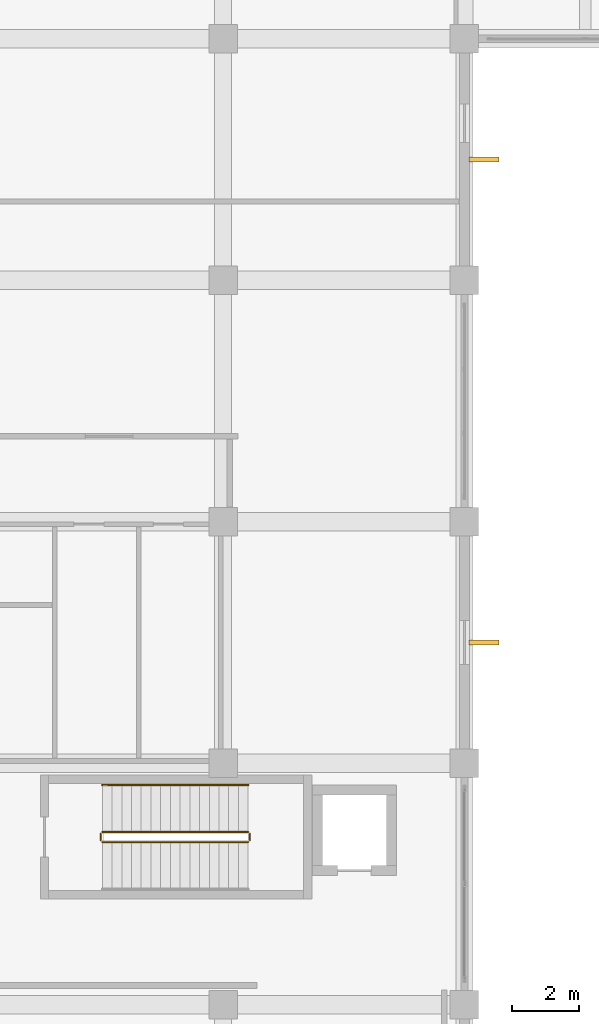
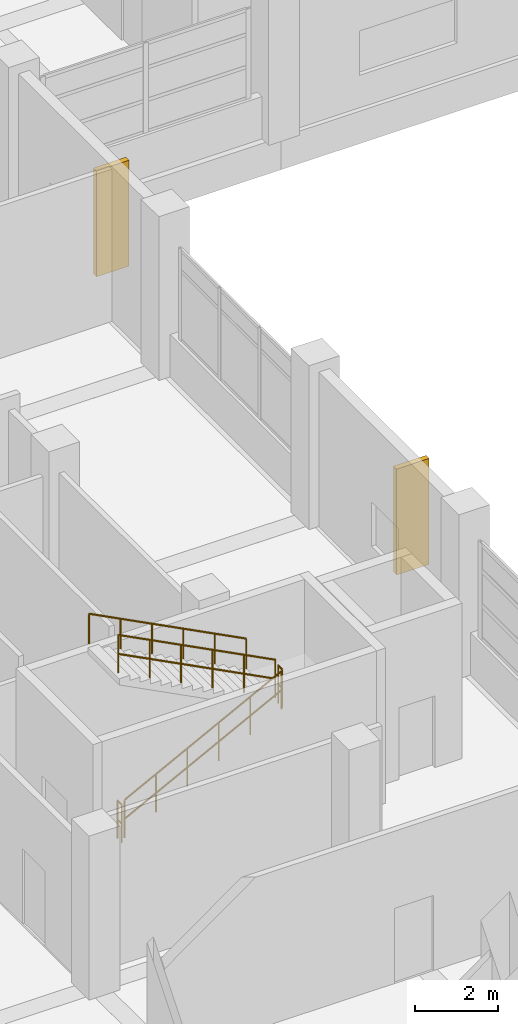
# One storey, part 173 of 181: 5 railings, 2 shading devices.
"""IFC4 building model written with IfcOpenShell, lengths in metres."""

from ifc_helpers import new_model, si_unit, direction, frame, origin, origin_2d, place, context, subcontext, project, spatial, rectangle, circle, extrude, material, type_object, element, save


model = new_model("IFC4")

# Units and contexts
model_context = context("Model", 3, precision=1e-05, world=origin(), true_north=direction((0.0, 1.0)))
body_context = subcontext(model_context, "Body", "Model", "MODEL_VIEW")
ifc_project = project(units=[si_unit("LENGTHUNIT", "METRE"), si_unit("AREAUNIT", "SQUARE_METRE"), si_unit("VOLUMEUNIT", "CUBIC_METRE"), si_unit("PLANEANGLEUNIT", "RADIAN"), si_unit("MASSUNIT", "GRAM", prefix="KILO")], contexts=[model_context])

# Site, building, storey
site_placement = place(None, origin())
site = spatial("IfcSite", under=ifc_project, at=site_placement, CompositionType="ELEMENT")
building_placement = place(site_placement, origin())
building = spatial("IfcBuilding", under=site, at=building_placement, Name="Seraya Terrace Polytechnic", CompositionType="ELEMENT")
storey_placement = place(building_placement, frame((0.0, 0.0, 4.800048828125)))
storey = spatial("IfcBuildingStorey", under=building, at=storey_placement, Name="L01", CompositionType="ELEMENT", Elevation=4.800048828125)

# Shading devices
ifc_material_1 = material(Name="Precast concrete C40/50", Category="concrete")
shading_device_type = type_object("IfcShadingDeviceType", Name="BS-F1", PredefinedType="JALOUSIE", material=ifc_material_1)
for number, where, z_axis, x_axis, name in (
    (1, (43.780029296875, 61.199951171875, 0.449951171875), (0.0, 0.0, 1.0), (1.0, 0.0, 0.0), "Precast concrete brise-soleil fin L01"),
    (2, (43.780029296875, 46.800048828125, 0.449951171875), (0.0, 0.0, 1.0), (1.0, 0.0, 0.0), "Precast concrete brise-soleil fin L01"),
):
    element("IfcShadingDevice", number, at=place(storey_placement, frame(where, z_axis=z_axis, x_axis=x_axis)), inside=storey, type_object=shading_device_type, Name=name, PredefinedType="JALOUSIE", context=body_context, shape_type="SweptSolid", body=[
        extrude(rectangle(XDim=0.89990234375, YDim=0.14990234375, at=origin_2d()), origin(), (0.0, 0.0, 1.0), 3.10009765625),
    ])

# Railings
ifc_material_2 = material(Name="Steel S355J2", Category="steel")
railing_type_1 = type_object("IfcRailingType", Name="GR-02", PredefinedType="GUARDRAIL", material=ifc_material_2)
railing_1_placement = place(storey_placement, frame((32.39990234375, 40.85009765625, 0.14990234375)))
element("IfcRailing", 3, at=railing_1_placement, inside=storey, type_object=railing_type_1, Name="L01 ST-04 stair guard 1", PredefinedType="GUARDRAIL", context=body_context, shape_type="SweptSolid", body=[
    extrude(circle(Radius=0.02392578125, at=origin_2d()), frame((0.0, 0.0, 1.10595703125), z_axis=(0.888221851817, 0.0, 0.459414782038), x_axis=(0.0, 1.0, 0.0)), (0.0, 0.0, 1.0), 4.8974609375),
    extrude(circle(Radius=0.02392578125, at=origin_2d()), frame((0.0, 0.0, 0.550048828125), z_axis=(0.888221851817, 0.0, 0.459414782038), x_axis=(0.0, 1.0, 0.0)), (0.0, 0.0, 1.0), 4.8974609375),
    extrude(circle(Radius=0.02099609375, at=origin_2d()), origin(), (0.0, 0.0, 1.0), 1.081787109375),
    extrude(circle(Radius=0.02099609375, at=origin_2d()), frame((0.8701171875, 0.0, 0.449951171875)), (0.0, 0.0, 1.0), 1.081787109375),
    extrude(circle(Radius=0.02099609375, at=origin_2d()), frame((1.739990234375, 0.0, 0.89990234375)), (0.0, 0.0, 1.0), 1.081787109375),
    extrude(circle(Radius=0.02099609375, at=origin_2d()), frame((2.610107421875, 0.0, 1.35009765625)), (0.0, 0.0, 1.0), 1.081787109375),
    extrude(circle(Radius=0.02099609375, at=origin_2d()), frame((3.47998046875, 0.0, 1.800048828125)), (0.0, 0.0, 1.0), 1.081787109375),
    extrude(circle(Radius=0.02099609375, at=origin_2d()), frame((4.35009765625, 0.0, 2.25)), (0.0, 0.0, 1.0), 1.081787109375),
])
railing_2_placement = place(storey_placement, frame((36.800048828125, 40.89990234375, 2.39990234375)))
element("IfcRailing", 4, at=railing_2_placement, inside=storey, type_object=railing_type_1, Name="L01 ST-04 stair guard 2", PredefinedType="GUARDRAIL", context=body_context, shape_type="SweptSolid", body=[
    extrude(circle(Radius=0.02392578125, at=origin_2d()), frame((0.0, 0.0, 1.10595703125), z_axis=(0.0, 1.0, 0.0), x_axis=(-1.0, 0.0, 0.0)), (0.0, 0.0, 1.0), 0.2001953125),
    extrude(circle(Radius=0.02392578125, at=origin_2d()), frame((0.0, 0.0, 0.550048828125), z_axis=(0.0, 1.0, 0.0), x_axis=(-1.0, 0.0, 0.0)), (0.0, 0.0, 1.0), 0.2001953125),
    extrude(circle(Radius=0.02099609375, at=origin_2d()), origin(), (0.0, 0.0, 1.0), 1.081787109375),
    extrude(circle(Radius=0.02099609375, at=origin_2d()), frame((0.0, 0.2001953125, 0.0)), (0.0, 0.0, 1.0), 1.081787109375),
])
railing_3_placement = place(storey_placement, frame((36.75, 41.14990234375, 2.550048828125)))
element("IfcRailing", 5, at=railing_3_placement, inside=storey, type_object=railing_type_1, Name="L01 ST-04 stair guard 3", PredefinedType="GUARDRAIL", context=body_context, shape_type="SweptSolid", body=[
    extrude(circle(Radius=0.02392578125, at=origin_2d()), frame((0.0, 0.0, 1.10595703125), z_axis=(-0.888221851817, 0.0, 0.459414782038), x_axis=(0.0, -1.0, 0.0)), (0.0, 0.0, 1.0), 4.8974609375),
    extrude(circle(Radius=0.02392578125, at=origin_2d()), frame((0.0, 0.0, 0.550048828125), z_axis=(-0.888221851817, 0.0, 0.459414782038), x_axis=(0.0, -1.0, 0.0)), (0.0, 0.0, 1.0), 4.8974609375),
    extrude(circle(Radius=0.02099609375, at=origin_2d()), origin(), (0.0, 0.0, 1.0), 1.081787109375),
    extrude(circle(Radius=0.02099609375, at=origin_2d()), frame((-0.8701171875, 0.0, 0.449951171875)), (0.0, 0.0, 1.0), 1.081787109375),
    extrude(circle(Radius=0.02099609375, at=origin_2d()), frame((-1.739990234375, 0.0, 0.89990234375)), (0.0, 0.0, 1.0), 1.081787109375),
    extrude(circle(Radius=0.02099609375, at=origin_2d()), frame((-2.610107421875, 0.0, 1.35009765625)), (0.0, 0.0, 1.0), 1.081787109375),
    extrude(circle(Radius=0.02099609375, at=origin_2d()), frame((-3.47998046875, 0.0, 1.800048828125)), (0.0, 0.0, 1.0), 1.081787109375),
    extrude(circle(Radius=0.02099609375, at=origin_2d()), frame((-4.35009765625, 0.0, 2.25)), (0.0, 0.0, 1.0), 1.081787109375),
])
railing_4_placement = place(storey_placement, frame((32.35009765625, 40.89990234375, 0.0)))
element("IfcRailing", 6, at=railing_4_placement, inside=storey, type_object=railing_type_1, Name="L01 ST-04 stair guard 4", PredefinedType="GUARDRAIL", context=body_context, shape_type="SweptSolid", body=[
    extrude(circle(Radius=0.02392578125, at=origin_2d()), frame((0.0, 0.0, 1.10595703125), z_axis=(0.0, 1.0, 0.0), x_axis=(-1.0, 0.0, 0.0)), (0.0, 0.0, 1.0), 0.2001953125),
    extrude(circle(Radius=0.02392578125, at=origin_2d()), frame((0.0, 0.0, 0.550048828125), z_axis=(0.0, 1.0, 0.0), x_axis=(-1.0, 0.0, 0.0)), (0.0, 0.0, 1.0), 0.2001953125),
    extrude(circle(Radius=0.02099609375, at=origin_2d()), origin(), (0.0, 0.0, 1.0), 1.081787109375),
    extrude(circle(Radius=0.02099609375, at=origin_2d()), frame((0.0, 0.2001953125, 0.0)), (0.0, 0.0, 1.0), 1.081787109375),
])
railing_type_2 = type_object("IfcRailingType", Name="HR-01", PredefinedType="HANDRAIL", material=ifc_material_2)
railing_5_placement = place(storey_placement, frame((36.75, 42.550048828125, 2.550048828125)))
element("IfcRailing", 7, at=railing_5_placement, inside=storey, type_object=railing_type_2, Name="L01 ST-04 stair handrail 2", PredefinedType="HANDRAIL", context=body_context, shape_type="SweptSolid", body=[
    extrude(circle(Radius=0.02392578125, at=origin_2d()), frame((0.0, 0.0, 0.8759765625), z_axis=(-0.888221851817, 0.0, 0.459414782038), x_axis=(0.0, -1.0, 0.0)), (0.0, 0.0, 1.0), 4.8974609375),
    extrude(circle(Radius=0.02099609375, at=origin_2d()), origin(), (0.0, 0.0, 1.0), 0.851806640625),
    extrude(circle(Radius=0.02099609375, at=origin_2d()), frame((-0.8701171875, 0.0, 0.449951171875)), (0.0, 0.0, 1.0), 0.851806640625),
    extrude(circle(Radius=0.02099609375, at=origin_2d()), frame((-1.739990234375, 0.0, 0.89990234375)), (0.0, 0.0, 1.0), 0.851806640625),
    extrude(circle(Radius=0.02099609375, at=origin_2d()), frame((-2.610107421875, 0.0, 1.35009765625)), (0.0, 0.0, 1.0), 0.851806640625),
    extrude(circle(Radius=0.02099609375, at=origin_2d()), frame((-3.47998046875, 0.0, 1.800048828125)), (0.0, 0.0, 1.0), 0.851806640625),
    extrude(circle(Radius=0.02099609375, at=origin_2d()), frame((-4.35009765625, 0.0, 2.25)), (0.0, 0.0, 1.0), 0.851806640625),
])

save(model, "model.ifc")
